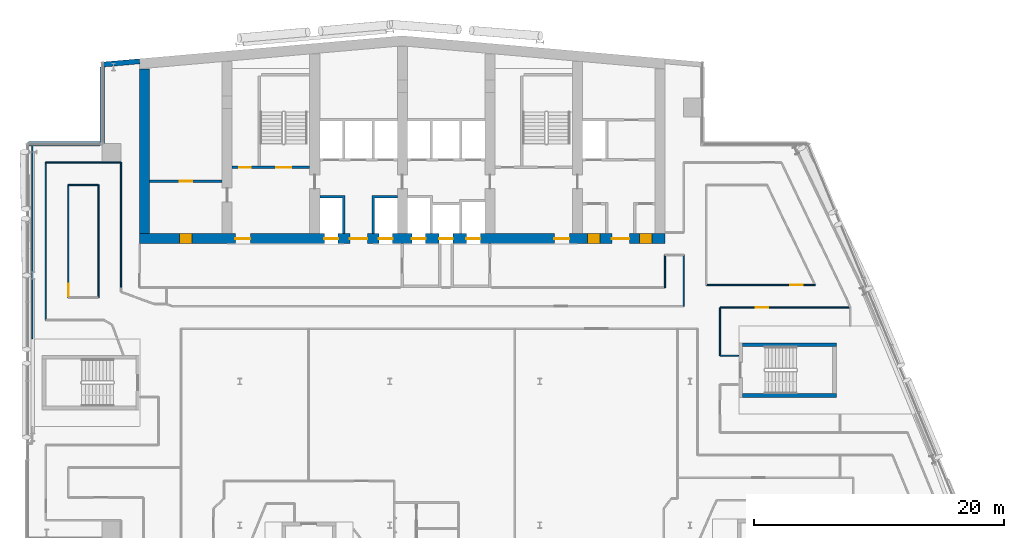
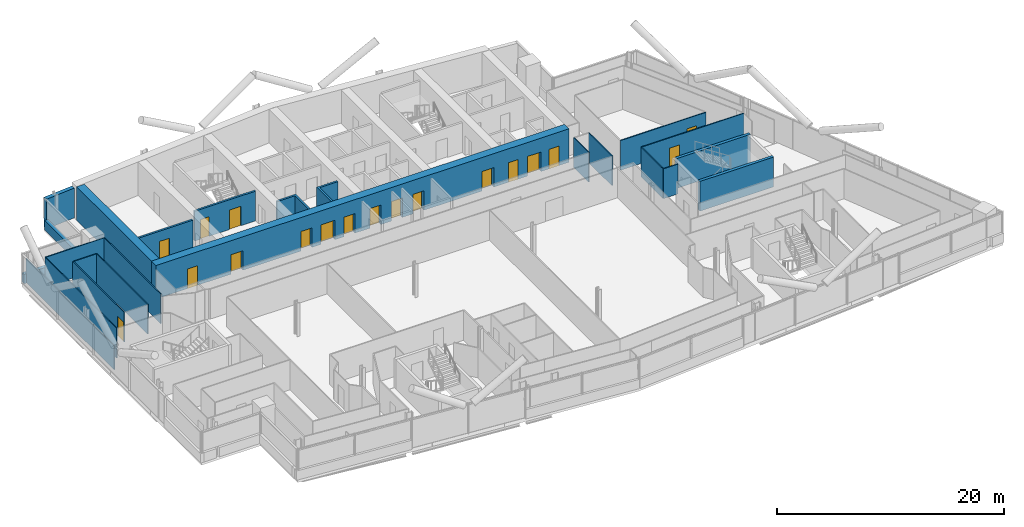
# One storey, part 17 of 28: 24 walls, 18 doors, 18 openings.
"""IFC4 building model written with IfcOpenShell, lengths in metres."""

from ifc_helpers import new_model, si_unit, direction, frame, frame_2d, origin, place, context, subcontext, project, spatial, polyline, rectangle, outline, extrude, material, layer, layer_set, type_object, element, fill, save


model = new_model("IFC4")

# Units and contexts
model_context = context("Model", 3, precision=1e-05, world=origin(), true_north=direction((0.0, 1.0)))
body_context = subcontext(model_context, "Body", "Model", "MODEL_VIEW")
ifc_project = project(units=[si_unit("LENGTHUNIT", "METRE"), si_unit("AREAUNIT", "SQUARE_METRE"), si_unit("VOLUMEUNIT", "CUBIC_METRE"), si_unit("PLANEANGLEUNIT", "RADIAN"), si_unit("MASSUNIT", "GRAM", prefix="KILO")], contexts=[model_context])

# Site, building, storey
site_placement = place(None, origin())
site = spatial("IfcSite", under=ifc_project, at=site_placement, CompositionType="ELEMENT")
building_placement = place(site_placement, origin())
building = spatial("IfcBuilding", under=site, at=building_placement, Name="Wharfspan Tower", CompositionType="ELEMENT")
storey_placement = place(building_placement, frame((0.0, 0.0, 187.899902)))
storey = spatial("IfcBuildingStorey", under=building, at=storey_placement, Name="L46", CompositionType="ELEMENT", Elevation=187.899902)

# Walls
ifc_material_1 = material(Name="Gypsum board on steel studs", Category="steel")
ifc_layer_1 = layer(ifc_material_1, 0.100098)
ifc_layer_set_1 = layer_set([ifc_layer_1], Name="Gypsum board on steel studs")
wall_type_1 = type_object("IfcWallType", Name="Compartment wall 100 EI 60", PredefinedType="PARTITIONING", material=ifc_layer_set_1)
wall_1_placement = place(storey_placement, frame((8.5, 27.899902, 0.0), z_axis=(0.0, 0.0, 1.0), x_axis=(0.0, 1.0, 0.0)))
element("IfcWall", 1, at=wall_1_placement, inside=storey, type_object=wall_type_1, Name="Partition L46.w007", PredefinedType="PARTITIONING", context=body_context, shape_type="SweptSolid", body=[
    extrude(rectangle(XDim=12.600098, YDim=0.100098, at=frame_2d((6.300049, 0.0))), origin(), (0.0, 0.0, 1.0), 3.200195),
])
wall_2_placement = place(storey_placement, frame((8.5, 40.5, 0.0), z_axis=(0.0, 0.0, 1.0), x_axis=(1.0, 0.0, 0.0)))
element("IfcWall", 2, at=wall_2_placement, inside=storey, type_object=wall_type_1, Name="Partition L46.w009", PredefinedType="PARTITIONING", context=body_context, shape_type="SweptSolid", body=[
    extrude(rectangle(XDim=6.0, YDim=0.100098, at=frame_2d((3.0, 0.0))), origin(), (0.0, 0.0, 1.0), 3.200195),
])

# Wall, opening, door
wall_3_placement = place(storey_placement, frame((10.300049, 29.699951, 0.0), z_axis=(0.0, 0.0, 1.0), x_axis=(0.0, 1.0, 0.0)))
wall_3 = element("IfcWall", 3, at=wall_3_placement, inside=storey, type_object=wall_type_1, Name="Partition L46.w013", PredefinedType="PARTITIONING", context=body_context, shape_type="SweptSolid", body=[
    extrude(rectangle(XDim=9.0, YDim=0.100098, at=frame_2d((4.5, 0.0))), origin(), (0.0, 0.0, 1.0), 3.200195),
])
opening_1_placement = place(wall_3_placement, frame((0.100098, 0.0, 0.0)))
opening_1 = element("IfcOpeningElement", 4, at=opening_1_placement, cuts=wall_3, Name="Opening C5-21", PredefinedType="OPENING", context=body_context, shape_type="SweptSolid", body=[
    extrude(rectangle(XDim=1.0, YDim=2.100098, at=frame_2d((0.5, 1.050049))), frame((0.0, 0.060059, 0.0), z_axis=(0.0, -1.0, 0.0), x_axis=(1.0, 0.0, 0.0)), (0.0, 0.0, 1.0), 0.120117),
])
ifc_material_2 = material(Name="Fire-rated timber door leaf in steel frame", Category="steel")
door_type_1 = type_object("IfcDoorType", Name="Door 1000 FD30S Left", OperationType="SINGLE_SWING_LEFT", PredefinedType="DOOR", material=ifc_material_2)
door_1_placement = place(opening_1_placement, origin())
door_1 = element("IfcDoor", 5, at=door_1_placement, inside=storey, type_object=door_type_1, Name="Door C5-21", OperationType="SINGLE_SWING_LEFT", OverallHeight=2.100098, OverallWidth=1.0, PredefinedType="DOOR", context=body_context, shape_type="SweptSolid", body=[
    extrude(rectangle(XDim=1.0, YDim=2.100098, at=frame_2d((0.5, 1.050049))), frame((0.0, 0.024902, 0.0), z_axis=(0.0, -1.0, 0.0), x_axis=(1.0, 0.0, 0.0)), (0.0, 0.0, 1.0), 0.050049),
])
fill(opening_1, door_1)

# Walls
wall_4_placement = place(storey_placement, frame((10.300049, 38.699951, 0.0), z_axis=(0.0, 0.0, 1.0), x_axis=(1.0, 0.0, 0.0)))
element("IfcWall", 6, at=wall_4_placement, inside=storey, type_object=wall_type_1, Name="Partition L46.w015", PredefinedType="PARTITIONING", context=body_context, shape_type="SweptSolid", body=[
    extrude(rectangle(XDim=2.399902, YDim=0.100098, at=frame_2d((1.199951, 0.0))), origin(), (0.0, 0.0, 1.0), 3.200195),
])
wall_5_placement = place(storey_placement, frame((12.699951, 29.699951, 0.0), z_axis=(0.0, 0.0, 1.0), x_axis=(0.0, 1.0, 0.0)))
element("IfcWall", 7, at=wall_5_placement, inside=storey, type_object=wall_type_1, Name="Partition L46.w016", PredefinedType="PARTITIONING", context=body_context, shape_type="SweptSolid", body=[
    extrude(rectangle(XDim=9.0, YDim=0.100098, at=frame_2d((4.5, 0.0))), origin(), (0.0, 0.0, 1.0), 3.200195),
])
wall_6_placement = place(storey_placement, frame((14.5, 30.5, 0.0), z_axis=(0.0, 0.0, 1.0), x_axis=(0.0, 1.0, 0.0)))
element("IfcWall", 8, at=wall_6_placement, inside=storey, type_object=wall_type_1, Name="Partition L46.w019", PredefinedType="PARTITIONING", context=body_context, shape_type="SweptSolid", body=[
    extrude(rectangle(XDim=10.0, YDim=0.100098, at=frame_2d((5.0, 0.0))), origin(), (0.0, 0.0, 1.0), 3.200195),
])
wall_7_placement = place(storey_placement, frame((58.0, 30.5, 0.0), z_axis=(0.0, 0.0, 1.0), x_axis=(0.0, 1.0, 0.0)))
element("IfcWall", 9, at=wall_7_placement, inside=storey, type_object=wall_type_1, Name="Partition L46.w076", PredefinedType="PARTITIONING", context=body_context, shape_type="SweptSolid", body=[
    extrude(rectangle(XDim=2.600098, YDim=0.100098, at=frame_2d((1.300049, 0.0))), origin(), (0.0, 0.0, 1.0), 3.200195),
])
wall_8_placement = place(storey_placement, frame((59.5, 29.0, 0.0), z_axis=(0.0, 0.0, 1.0), x_axis=(0.0, 1.0, 0.0)))
element("IfcWall", 10, at=wall_8_placement, inside=storey, type_object=wall_type_1, Name="Partition L46.w086", PredefinedType="PARTITIONING", context=body_context, shape_type="SweptSolid", body=[
    extrude(rectangle(XDim=4.100098, YDim=0.100098, at=frame_2d((2.050049, 0.0))), origin(), (0.0, 0.0, 1.0), 3.200195),
])

# Wall, opening, door
wall_9_placement = place(storey_placement, frame((61.300049, 30.699951, 0.0), z_axis=(0.0, 0.0, 1.0), x_axis=(1.0, 0.0, 0.0)))
wall_9 = element("IfcWall", 11, at=wall_9_placement, inside=storey, type_object=wall_type_1, Name="Partition L46.w094", PredefinedType="PARTITIONING", context=body_context, shape_type="SweptSolid", body=[
    extrude(rectangle(XDim=8.699951, YDim=0.100098, at=frame_2d((4.350098, 0.0))), origin(), (0.0, 0.0, 1.0), 3.200195),
])
opening_2_placement = place(wall_9_placement, frame((6.736816, 0.0, 0.0)))
opening_2 = element("IfcOpeningElement", 12, at=opening_2_placement, cuts=wall_9, Name="Opening C5-22", PredefinedType="OPENING", context=body_context, shape_type="SweptSolid", body=[
    extrude(rectangle(XDim=1.0, YDim=2.100098, at=frame_2d((0.5, 1.050049))), frame((0.0, 0.060059, 0.0), z_axis=(0.0, -1.0, 0.0), x_axis=(1.0, 0.0, 0.0)), (0.0, 0.0, 1.0), 0.120117),
])
door_type_2 = type_object("IfcDoorType", Name="Door 1000 FD30S Right", OperationType="SINGLE_SWING_RIGHT", PredefinedType="DOOR", material=ifc_material_2)
door_2_placement = place(opening_2_placement, origin())
door_2 = element("IfcDoor", 13, at=door_2_placement, inside=storey, type_object=door_type_2, Name="Door C5-22", OperationType="SINGLE_SWING_RIGHT", OverallHeight=2.100098, OverallWidth=1.0, PredefinedType="DOOR", context=body_context, shape_type="SweptSolid", body=[
    extrude(rectangle(XDim=1.0, YDim=2.100098, at=frame_2d((0.5, 1.050049))), frame((0.0, 0.024902, 0.0), z_axis=(0.0, -1.0, 0.0), x_axis=(1.0, 0.0, 0.0)), (0.0, 0.0, 1.0), 0.050049),
])
fill(opening_2, door_2)

# Walls
wall_10_placement = place(storey_placement, frame((62.405029, 25.050049, 0.0), z_axis=(0.0, 0.0, 1.0), x_axis=(0.0, 1.0, 0.0)))
element("IfcWall", 14, at=wall_10_placement, inside=storey, type_object=wall_type_1, Name="Partition L46.w101", PredefinedType="PARTITIONING", context=body_context, shape_type="SweptSolid", body=[
    extrude(rectangle(XDim=3.849854, YDim=0.100098, at=frame_2d((1.924805, 0.0))), origin(), (0.0, 0.0, 1.0), 3.200195),
])
wall_11_placement = place(storey_placement, frame((62.405029, 25.050049, 0.0), z_axis=(0.0, 0.0, 1.0), x_axis=(1.0, 0.0, 0.0)))
element("IfcWall", 15, at=wall_11_placement, inside=storey, type_object=wall_type_1, Name="Partition L46.w102", PredefinedType="PARTITIONING", context=body_context, shape_type="SweptSolid", body=[
    extrude(rectangle(XDim=1.479492, YDim=0.100098, at=frame_2d((0.739746, 0.0))), origin(), (0.0, 0.0, 1.0), 3.200195),
])

# Wall, opening, door
wall_12_placement = place(storey_placement, frame((62.405029, 28.899902, 0.0), z_axis=(0.0, 0.0, 1.0), x_axis=(1.0, 0.0, 0.0)))
wall_12 = element("IfcWall", 16, at=wall_12_placement, inside=storey, type_object=wall_type_1, Name="Partition L46.w103", PredefinedType="PARTITIONING", context=body_context, shape_type="SweptSolid", body=[
    extrude(rectangle(XDim=10.405029, YDim=0.100098, at=frame_2d((5.202637, 0.0))), origin(), (0.0, 0.0, 1.0), 3.200195),
])
opening_3_placement = place(wall_12_placement, frame((2.850098, 0.0, 0.0)))
opening_3 = element("IfcOpeningElement", 17, at=opening_3_placement, cuts=wall_12, Name="Opening C5-19", PredefinedType="OPENING", context=body_context, shape_type="SweptSolid", body=[
    extrude(rectangle(XDim=1.0, YDim=2.100098, at=frame_2d((0.5, 1.050049))), frame((0.0, 0.060059, 0.0), z_axis=(0.0, -1.0, 0.0), x_axis=(1.0, 0.0, 0.0)), (0.0, 0.0, 1.0), 0.120117),
])
door_3_placement = place(opening_3_placement, origin())
door_3 = element("IfcDoor", 18, at=door_3_placement, inside=storey, type_object=door_type_1, Name="Door C5-19", OperationType="SINGLE_SWING_LEFT", OverallHeight=2.100098, OverallWidth=1.0, PredefinedType="DOOR", context=body_context, shape_type="SweptSolid", body=[
    extrude(rectangle(XDim=1.0, YDim=2.100098, at=frame_2d((0.5, 1.050049))), frame((0.0, 0.024902, 0.0), z_axis=(0.0, -1.0, 0.0), x_axis=(1.0, 0.0, 0.0)), (0.0, 0.0, 1.0), 0.050049),
])
fill(opening_3, door_3)

ifc_material_3 = material(Name="Calcium silicate masonry", Category="masonry")
ifc_layer_2 = layer(ifc_material_3, 0.199951)
ifc_layer_set_2 = layer_set([ifc_layer_2], Name="Calcium silicate masonry")
wall_type_2 = type_object("IfcWallType", Name="Core room wall 200", PredefinedType="PARTITIONING", material=ifc_layer_set_2)
wall_13_placement = place(storey_placement, frame((16.800049, 39.0, 0.0), z_axis=(0.0, 0.0, 1.0), x_axis=(1.0, 0.0, 0.0)))
wall_13 = element("IfcWall", 19, at=wall_13_placement, inside=storey, type_object=wall_type_2, Name="sw:L46:RM1", PredefinedType="PARTITIONING", context=body_context, shape_type="SweptSolid", body=[
    extrude(rectangle(XDim=5.800049, YDim=0.199951, at=frame_2d((2.899902, 0.0))), origin(), (0.0, 0.0, 1.0), 3.200195),
])
opening_4_placement = place(wall_13_placement, frame((2.399902, 0.0, 0.0)))
opening_4 = element("IfcOpeningElement", 20, at=opening_4_placement, cuts=wall_13, Name="Opening CD46.12", PredefinedType="OPENING", context=body_context, shape_type="SweptSolid", body=[
    extrude(rectangle(XDim=1.0, YDim=2.100098, at=frame_2d((0.5, 1.050049))), frame((0.0, 0.109863, 0.0), z_axis=(0.0, -1.0, 0.0), x_axis=(1.0, 0.0, 0.0)), (0.0, 0.0, 1.0), 0.219971),
])
ifc_material_4 = material(Name="Steel door leaf", Category="steel")
door_type_3 = type_object("IfcDoorType", Name="Core room door 1000x2100", OperationType="SINGLE_SWING_LEFT", PredefinedType="DOOR", material=ifc_material_4)
door_4_placement = place(opening_4_placement, origin())
door_4 = element("IfcDoor", 21, at=door_4_placement, inside=storey, type_object=door_type_3, Name="d:L46:1:rr", OperationType="SINGLE_SWING_RIGHT", OverallHeight=2.100098, OverallWidth=1.0, PredefinedType="DOOR", context=body_context, shape_type="SweptSolid", body=[
    extrude(rectangle(XDim=1.0, YDim=2.100098, at=frame_2d((0.5, 1.050049))), frame((0.0, 0.024902, 0.0), z_axis=(0.0, -1.0, 0.0), x_axis=(1.0, 0.0, 0.0)), (0.0, 0.0, 1.0), 0.050049),
])
fill(opening_4, door_4)

# Wall, openings, doors
ifc_material_5 = material(Name="Concrete C60/75", Category="concrete")
ifc_layer_3 = layer(ifc_material_5, 0.800049)
ifc_layer_set_3 = layer_set([ifc_layer_3], Name="Concrete C60/75")
wall_type_3 = type_object("IfcWallType", Name="Core wall 800 C60/75", PredefinedType="SHEAR", material=ifc_layer_set_3)
wall_14_placement = place(storey_placement, frame((16.0, 34.399902, 0.0), z_axis=(0.0, 0.0, 1.0), x_axis=(1.0, 0.0, 0.0)))
wall_14 = element("IfcWall", 22, at=wall_14_placement, inside=storey, type_object=wall_type_3, Name="Core front wall L46", PredefinedType="SHEAR", context=body_context, shape_type="SweptSolid", body=[
    extrude(rectangle(XDim=42.0, YDim=0.800049, at=frame_2d((21.0, 0.0))), origin(), (0.0, 0.0, 1.0), 3.600098),
])
opening_5_placement = place(wall_14_placement, frame((3.199951, 0.0, 0.0)))
opening_5 = element("IfcOpeningElement", 23, at=opening_5_placement, cuts=wall_14, Name="Opening CD46.11", PredefinedType="OPENING", context=body_context, shape_type="SweptSolid", body=[
    extrude(rectangle(XDim=1.0, YDim=2.100098, at=frame_2d((0.5, 1.050049))), frame((0.0, 0.409912, 0.0), z_axis=(0.0, -1.0, 0.0), x_axis=(1.0, 0.0, 0.0)), (0.0, 0.0, 1.0), 0.820068),
])
opening_6_placement = place(wall_14_placement, frame((7.649902, 0.0, 0.0)))
opening_6 = element("IfcOpeningElement", 24, at=opening_6_placement, cuts=wall_14, Name="Opening SV2.L46", PredefinedType="OPENING", context=body_context, shape_type="SweptSolid", body=[
    extrude(rectangle(XDim=1.199951, YDim=2.100098, at=frame_2d((0.600098, 1.050049))), frame((0.0, 0.409912, 0.0), z_axis=(0.0, -1.0, 0.0), x_axis=(1.0, 0.0, 0.0)), (0.0, 0.0, 1.0), 0.820068),
])
opening_7_placement = place(wall_14_placement, frame((14.766602, 0.0, 0.0)))
opening_7 = element("IfcOpeningElement", 25, at=opening_7_placement, cuts=wall_14, Name="Opening LD.SL1.L46", PredefinedType="OPENING", context=body_context, shape_type="SweptSolid", body=[
    extrude(rectangle(XDim=1.100098, YDim=2.100098, at=frame_2d((0.550049, 1.050049))), frame((0.0, 0.409912, 0.0), z_axis=(0.0, -1.0, 0.0), x_axis=(1.0, 0.0, 0.0)), (0.0, 0.0, 1.0), 0.820068),
])
opening_8_placement = place(wall_14_placement, frame((19.133301, 0.0, 0.0)))
opening_8 = element("IfcOpeningElement", 26, at=opening_8_placement, cuts=wall_14, Name="Opening LD.SL2.L46", PredefinedType="OPENING", context=body_context, shape_type="SweptSolid", body=[
    extrude(rectangle(XDim=1.100098, YDim=2.100098, at=frame_2d((0.550049, 1.050049))), frame((0.0, 0.409912, 0.0), z_axis=(0.0, -1.0, 0.0), x_axis=(1.0, 0.0, 0.0)), (0.0, 0.0, 1.0), 0.820068),
])
opening_9_placement = place(wall_14_placement, frame((16.800049, 0.0, 0.0)))
opening_9 = element("IfcOpeningElement", 27, at=opening_9_placement, cuts=wall_14, Name="Opening HD46.3", PredefinedType="OPENING", context=body_context, shape_type="SweptSolid", body=[
    extrude(rectangle(XDim=1.399902, YDim=2.100098, at=frame_2d((0.699951, 1.050049))), frame((0.0, 0.409912, 0.0), z_axis=(0.0, -1.0, 0.0), x_axis=(1.0, 0.0, 0.0)), (0.0, 0.0, 1.0), 0.820068),
])
opening_10_placement = place(wall_14_placement, frame((21.766602, 0.0, 0.0)))
opening_10 = element("IfcOpeningElement", 28, at=opening_10_placement, cuts=wall_14, Name="Opening LD.FF1.L46", PredefinedType="OPENING", context=body_context, shape_type="SweptSolid", body=[
    extrude(rectangle(XDim=1.100098, YDim=2.100098, at=frame_2d((0.550049, 1.050049))), frame((0.0, 0.409912, 0.0), z_axis=(0.0, -1.0, 0.0), x_axis=(1.0, 0.0, 0.0)), (0.0, 0.0, 1.0), 0.820068),
])
opening_11_placement = place(wall_14_placement, frame((23.949951, 0.0, 0.0)))
opening_11 = element("IfcOpeningElement", 29, at=opening_11_placement, cuts=wall_14, Name="Opening LD.LB7.L46", PredefinedType="OPENING", context=body_context, shape_type="SweptSolid", body=[
    extrude(rectangle(XDim=1.100098, YDim=2.100098, at=frame_2d((0.550049, 1.050049))), frame((0.0, 0.409912, 0.0), z_axis=(0.0, -1.0, 0.0), x_axis=(1.0, 0.0, 0.0)), (0.0, 0.0, 1.0), 0.820068),
])
opening_12_placement = place(wall_14_placement, frame((26.133301, 0.0, 0.0)))
opening_12 = element("IfcOpeningElement", 30, at=opening_12_placement, cuts=wall_14, Name="Opening LD.FF2.L46", PredefinedType="OPENING", context=body_context, shape_type="SweptSolid", body=[
    extrude(rectangle(XDim=1.100098, YDim=2.100098, at=frame_2d((0.550049, 1.050049))), frame((0.0, 0.409912, 0.0), z_axis=(0.0, -1.0, 0.0), x_axis=(1.0, 0.0, 0.0)), (0.0, 0.0, 1.0), 0.820068),
])
opening_13_placement = place(wall_14_placement, frame((33.149902, 0.0, 0.0)))
opening_13 = element("IfcOpeningElement", 31, at=opening_13_placement, cuts=wall_14, Name="Opening SV5.L46", PredefinedType="OPENING", context=body_context, shape_type="SweptSolid", body=[
    extrude(rectangle(XDim=1.199951, YDim=2.100098, at=frame_2d((0.600098, 1.050049))), frame((0.0, 0.409912, 0.0), z_axis=(0.0, -1.0, 0.0), x_axis=(1.0, 0.0, 0.0)), (0.0, 0.0, 1.0), 0.820068),
])
opening_14_placement = place(wall_14_placement, frame((35.81665, 0.0, 0.0)))
opening_14 = element("IfcOpeningElement", 32, at=opening_14_placement, cuts=wall_14, Name="Opening CD46.6F1", PredefinedType="OPENING", context=body_context, shape_type="SweptSolid", body=[
    extrude(rectangle(XDim=1.0, YDim=2.100098, at=frame_2d((0.5, 1.050049))), frame((0.0, 0.409912, 0.0), z_axis=(0.0, -1.0, 0.0), x_axis=(1.0, 0.0, 0.0)), (0.0, 0.0, 1.0), 0.820068),
])
opening_15_placement = place(wall_14_placement, frame((39.949951, 0.0, 0.0)))
opening_15 = element("IfcOpeningElement", 33, at=opening_15_placement, cuts=wall_14, Name="Opening CD46.6F3", PredefinedType="OPENING", context=body_context, shape_type="SweptSolid", body=[
    extrude(rectangle(XDim=1.0, YDim=2.100098, at=frame_2d((0.5, 1.050049))), frame((0.0, 0.409912, 0.0), z_axis=(0.0, -1.0, 0.0), x_axis=(1.0, 0.0, 0.0)), (0.0, 0.0, 1.0), 0.820068),
])
opening_16_placement = place(wall_14_placement, frame((37.766602, 0.0, 0.0)))
opening_16 = element("IfcOpeningElement", 34, at=opening_16_placement, cuts=wall_14, Name="Opening HD46.6", PredefinedType="OPENING", context=body_context, shape_type="SweptSolid", body=[
    extrude(rectangle(XDim=1.399902, YDim=2.100098, at=frame_2d((0.699951, 1.050049))), frame((0.0, 0.409912, 0.0), z_axis=(0.0, -1.0, 0.0), x_axis=(1.0, 0.0, 0.0)), (0.0, 0.0, 1.0), 0.820068),
])
door_5_placement = place(opening_5_placement, origin())
door_5 = element("IfcDoor", 35, at=door_5_placement, inside=storey, type_object=door_type_3, Name="d:L46:1:rf", OperationType="SINGLE_SWING_LEFT", OverallHeight=2.100098, OverallWidth=1.0, PredefinedType="DOOR", context=body_context, shape_type="SweptSolid", body=[
    extrude(rectangle(XDim=1.0, YDim=2.100098, at=frame_2d((0.5, 1.050049))), frame((0.0, 0.399902, 0.0), z_axis=(0.0, -1.0, 0.0), x_axis=(1.0, 0.0, 0.0)), (0.0, 0.0, 1.0), 0.799561),
])
fill(opening_5, door_5)
door_6_placement = place(opening_14_placement, origin())
door_6 = element("IfcDoor", 36, at=door_6_placement, inside=storey, type_object=door_type_3, Name="d:L46:6:fd6.1", OperationType="SINGLE_SWING_LEFT", OverallHeight=2.100098, OverallWidth=1.0, PredefinedType="DOOR", context=body_context, shape_type="SweptSolid", body=[
    extrude(rectangle(XDim=1.0, YDim=2.100098, at=frame_2d((0.5, 1.050049))), frame((0.0, 0.399902, 0.0), z_axis=(0.0, -1.0, 0.0), x_axis=(1.0, 0.0, 0.0)), (0.0, 0.0, 1.0), 0.799561),
])
fill(opening_14, door_6)
door_7_placement = place(opening_15_placement, origin())
door_7 = element("IfcDoor", 37, at=door_7_placement, inside=storey, type_object=door_type_3, Name="d:L46:6:fd6.3", OperationType="SINGLE_SWING_LEFT", OverallHeight=2.100098, OverallWidth=1.0, PredefinedType="DOOR", context=body_context, shape_type="SweptSolid", body=[
    extrude(rectangle(XDim=1.0, YDim=2.100098, at=frame_2d((0.5, 1.050049))), frame((0.0, 0.399902, 0.0), z_axis=(0.0, -1.0, 0.0), x_axis=(1.0, 0.0, 0.0)), (0.0, 0.0, 1.0), 0.799561),
])
fill(opening_15, door_7)
door_type_4 = type_object("IfcDoorType", Name="Hall entry door 1400x2100", OperationType="DOUBLE_DOOR_SINGLE_SWING", PredefinedType="DOOR", material=ifc_material_4)
door_8_placement = place(opening_9_placement, origin())
door_8 = element("IfcDoor", 38, at=door_8_placement, inside=storey, type_object=door_type_4, Name="d:L46:3:hd3", OperationType="DOUBLE_DOOR_SINGLE_SWING", OverallHeight=2.100098, OverallWidth=1.399902, PredefinedType="DOOR", context=body_context, shape_type="SweptSolid", body=[
    extrude(rectangle(XDim=1.399902, YDim=2.100098, at=frame_2d((0.699951, 1.050049))), frame((0.0, 0.024902, 0.0), z_axis=(0.0, -1.0, 0.0), x_axis=(1.0, 0.0, 0.0)), (0.0, 0.0, 1.0), 0.050049),
])
fill(opening_9, door_8)
door_9_placement = place(opening_16_placement, origin())
door_9 = element("IfcDoor", 39, at=door_9_placement, inside=storey, type_object=door_type_4, Name="d:L46:6:hd6", OperationType="DOUBLE_DOOR_SINGLE_SWING", OverallHeight=2.100098, OverallWidth=1.399902, PredefinedType="DOOR", context=body_context, shape_type="SweptSolid", body=[
    extrude(rectangle(XDim=1.399902, YDim=2.100098, at=frame_2d((0.699951, 1.050049))), frame((0.0, 0.024902, 0.0), z_axis=(0.0, -1.0, 0.0), x_axis=(1.0, 0.0, 0.0)), (0.0, 0.0, 1.0), 0.050049),
])
fill(opening_16, door_9)
ifc_material_6 = material(Name="Stainless steel", Category="steel")
door_type_5 = type_object("IfcDoorType", Name="Lift landing door 1100x2100", OperationType="DOUBLE_DOOR_SLIDING", PredefinedType="DOOR", material=ifc_material_6)
door_10_placement = place(opening_7_placement, origin())
door_10 = element("IfcDoor", 40, at=door_10_placement, inside=storey, type_object=door_type_5, Name="Landing door SL1 L46", OperationType="DOUBLE_DOOR_SLIDING", OverallHeight=2.100098, OverallWidth=1.100098, PredefinedType="DOOR", context=body_context, shape_type="SweptSolid", body=[
    extrude(rectangle(XDim=1.100098, YDim=2.100098, at=frame_2d((0.550049, 1.050049))), frame((0.0, 0.024902, 0.0), z_axis=(0.0, -1.0, 0.0), x_axis=(1.0, 0.0, 0.0)), (0.0, 0.0, 1.0), 0.050049),
])
fill(opening_7, door_10)
door_11_placement = place(opening_8_placement, origin())
door_11 = element("IfcDoor", 41, at=door_11_placement, inside=storey, type_object=door_type_5, Name="Landing door SL2 L46", OperationType="DOUBLE_DOOR_SLIDING", OverallHeight=2.100098, OverallWidth=1.100098, PredefinedType="DOOR", context=body_context, shape_type="SweptSolid", body=[
    extrude(rectangle(XDim=1.100098, YDim=2.100098, at=frame_2d((0.550049, 1.050049))), frame((0.0, 0.024902, 0.0), z_axis=(0.0, -1.0, 0.0), x_axis=(1.0, 0.0, 0.0)), (0.0, 0.0, 1.0), 0.050049),
])
fill(opening_8, door_11)
door_12_placement = place(opening_10_placement, origin())
door_12 = element("IfcDoor", 42, at=door_12_placement, inside=storey, type_object=door_type_5, Name="Landing door FF1 L46", OperationType="DOUBLE_DOOR_SLIDING", OverallHeight=2.100098, OverallWidth=1.100098, PredefinedType="DOOR", context=body_context, shape_type="SweptSolid", body=[
    extrude(rectangle(XDim=1.100098, YDim=2.100098, at=frame_2d((0.550049, 1.050049))), frame((0.0, 0.024902, 0.0), z_axis=(0.0, -1.0, 0.0), x_axis=(1.0, 0.0, 0.0)), (0.0, 0.0, 1.0), 0.050049),
])
fill(opening_10, door_12)
door_13_placement = place(opening_11_placement, origin())
door_13 = element("IfcDoor", 43, at=door_13_placement, inside=storey, type_object=door_type_5, Name="Landing door LB7 L46", OperationType="DOUBLE_DOOR_SLIDING", OverallHeight=2.100098, OverallWidth=1.100098, PredefinedType="DOOR", context=body_context, shape_type="SweptSolid", body=[
    extrude(rectangle(XDim=1.100098, YDim=2.100098, at=frame_2d((0.550049, 1.050049))), frame((0.0, 0.024902, 0.0), z_axis=(0.0, -1.0, 0.0), x_axis=(1.0, 0.0, 0.0)), (0.0, 0.0, 1.0), 0.050049),
])
fill(opening_11, door_13)
door_14_placement = place(opening_12_placement, origin())
door_14 = element("IfcDoor", 44, at=door_14_placement, inside=storey, type_object=door_type_5, Name="Landing door FF2 L46", OperationType="DOUBLE_DOOR_SLIDING", OverallHeight=2.100098, OverallWidth=1.100098, PredefinedType="DOOR", context=body_context, shape_type="SweptSolid", body=[
    extrude(rectangle(XDim=1.100098, YDim=2.100098, at=frame_2d((0.550049, 1.050049))), frame((0.0, 0.024902, 0.0), z_axis=(0.0, -1.0, 0.0), x_axis=(1.0, 0.0, 0.0)), (0.0, 0.0, 1.0), 0.050049),
])
fill(opening_12, door_14)
door_type_6 = type_object("IfcDoorType", Name="Stair door 1200x2100", OperationType="SINGLE_SWING_LEFT", PredefinedType="DOOR", material=ifc_material_4)
door_15_placement = place(opening_6_placement, origin())
door_15 = element("IfcDoor", 45, at=door_15_placement, inside=storey, type_object=door_type_6, Name="vd:L46:2", OperationType="SINGLE_SWING_LEFT", OverallHeight=2.100098, OverallWidth=1.199951, PredefinedType="DOOR", context=body_context, shape_type="SweptSolid", body=[
    extrude(rectangle(XDim=1.199951, YDim=2.100098, at=frame_2d((0.600098, 1.050049))), frame((0.0, 0.024902, 0.0), z_axis=(0.0, -1.0, 0.0), x_axis=(1.0, 0.0, 0.0)), (0.0, 0.0, 1.0), 0.050049),
])
fill(opening_6, door_15)
door_16_placement = place(opening_13_placement, origin())
door_16 = element("IfcDoor", 46, at=door_16_placement, inside=storey, type_object=door_type_6, Name="vd:L46:5", OperationType="SINGLE_SWING_LEFT", OverallHeight=2.100098, OverallWidth=1.199951, PredefinedType="DOOR", context=body_context, shape_type="SweptSolid", body=[
    extrude(rectangle(XDim=1.199951, YDim=2.100098, at=frame_2d((0.600098, 1.050049))), frame((0.0, 0.024902, 0.0), z_axis=(0.0, -1.0, 0.0), x_axis=(1.0, 0.0, 0.0)), (0.0, 0.0, 1.0), 0.050049),
])
fill(opening_13, door_16)

# Walls
wall_15_placement = place(storey_placement, frame((16.399902, 34.800049, 0.0), z_axis=(0.0, 0.0, 1.0), x_axis=(0.0, 1.0, 0.0)))
element("IfcWall", 47, at=wall_15_placement, inside=storey, type_object=wall_type_3, Name="Core cross wall EW0 L46", PredefinedType="SHEAR", context=body_context, shape_type="SweptSolid", body=[
    extrude(rectangle(XDim=13.184326, YDim=0.800049, at=frame_2d((6.592285, 0.0))), origin(), (0.0, 0.0, 1.0), 3.600098),
])
ifc_material_7 = material(Name="Concrete C30/37", Category="concrete")
ifc_layer_4 = layer(ifc_material_7, 0.199951)
ifc_layer_set_4 = layer_set([ifc_layer_4], Name="Concrete C30/37")
wall_type_4 = type_object("IfcWallType", Name="Lift shaft wall 200", PredefinedType="PARTITIONING", material=ifc_layer_set_4)
wall_16_placement = place(storey_placement, origin())
element("IfcWall", 48, at=wall_16_placement, inside=storey, type_object=wall_type_4, Name="sw:L46:FM3.0", PredefinedType="PARTITIONING", context=body_context, shape_type="SweptSolid", body=[
    extrude(outline(polyline([(32.233398, 37.649902), (30.399902, 37.649902), (30.399902, 37.850098), (32.233398, 37.850098), (32.43335, 37.850098), (32.43335, 34.800049), (32.233398, 34.800049), (32.233398, 37.649902)])), origin(), (0.0, 0.0, 1.0), 3.200195),
])
wall_17_placement = place(storey_placement, origin())
element("IfcWall", 49, at=wall_17_placement, inside=storey, type_object=wall_type_4, Name="sw:L46:FM3.1", PredefinedType="PARTITIONING", context=body_context, shape_type="SweptSolid", body=[
    extrude(outline(polyline([(34.56665, 37.850098), (34.766602, 37.850098), (36.600098, 37.850098), (36.600098, 37.649902), (34.766602, 37.649902), (34.766602, 34.800049), (34.56665, 34.800049), (34.56665, 37.850098)])), origin(), (0.0, 0.0, 1.0), 3.200195),
])
ifc_layer_5 = layer(ifc_material_1, 0.100098)
ifc_layer_set_5 = layer_set([ifc_layer_5], Name="Gypsum board on steel studs")
wall_type_5 = type_object("IfcWallType", Name="Partition 100", PredefinedType="PARTITIONING", material=ifc_layer_set_5)
wall_18_placement = place(storey_placement, frame((7.419922, 26.419922, 0.0), z_axis=(0.0, 0.0, 1.0), x_axis=(0.0, 1.0, 0.0)))
element("IfcWall", 50, at=wall_18_placement, inside=storey, type_object=wall_type_5, Name="Partition L46.w003", PredefinedType="PARTITIONING", context=body_context, shape_type="SweptSolid", body=[
    extrude(rectangle(XDim=15.560059, YDim=0.100098, at=frame_2d((7.780029, 0.0))), origin(), (0.0, 0.0, 1.0), 2.580078),
])
ifc_material_8 = material(Name="Concrete C40/50", Category="concrete")
ifc_layer_6 = layer(ifc_material_8, 0.350098)
ifc_layer_set_6 = layer_set([ifc_layer_6], Name="Concrete C40/50")
wall_type_6 = type_object("IfcWallType", Name="SPANDREL EXPOSED CONCRETE 350", PredefinedType="SOLIDWALL", material=ifc_layer_set_6)
wall_19_placement = place(storey_placement, frame((12.995117, 48.126465, 0.0), z_axis=(0.0, 0.0, 1.0), x_axis=(0.0, -1.0, 0.0)))
element("IfcWall", 51, at=wall_19_placement, inside=storey, type_object=wall_type_6, Name="Spandrel upstand L46 NRW-V", PredefinedType="SOLIDWALL", context=body_context, shape_type="SweptSolid", body=[
    extrude(rectangle(XDim=6.126465, YDim=0.350098, at=frame_2d((3.063232, 0.0))), origin(), (0.0, 0.0, 1.0), 1.0),
])
wall_20_placement = place(storey_placement, frame((12.820068, 42.004883, 0.0), z_axis=(0.0, 0.0, 1.0), x_axis=(-1.0, 0.0, 0.0)))
element("IfcWall", 52, at=wall_20_placement, inside=storey, type_object=wall_type_6, Name="Spandrel upstand L46 NRW-H", PredefinedType="SOLIDWALL", context=body_context, shape_type="SweptSolid", body=[
    extrude(rectangle(XDim=5.699951, YDim=0.350098, at=frame_2d((2.850098, 0.0))), origin(), (0.0, 0.0, 1.0), 1.0),
])
ifc_layer_7 = layer(ifc_material_8, 0.300049)
ifc_layer_set_7 = layer_set([ifc_layer_7], Name="Concrete C40/50")
wall_type_7 = type_object("IfcWallType", Name="Stair core wall 300", PredefinedType="SHEAR", material=ifc_layer_set_7)
for number, where, z_axis, x_axis, name in (
    (53, (64.20459, 21.875, 0.0), (0.0, 0.0, 1.0), (1.0, 0.0, 0.0), "ST6 stair enclosure wall L46"),
    (54, (64.20459, 25.925049, 0.0), (0.0, 0.0, 1.0), (1.0, 0.0, 0.0), "ST6 stair enclosure wall L46"),
):
    element("IfcWall", number, at=place(storey_placement, frame(where, z_axis=z_axis, x_axis=x_axis)), inside=storey, type_object=wall_type_7, Name=name, PredefinedType="SHEAR", context=body_context, shape_type="SweptSolid", body=[
        extrude(rectangle(XDim=7.5, YDim=0.300049, at=frame_2d((3.75, 0.0))), origin(), (0.0, 0.0, 1.0), 3.200195),
    ])

# Wall, openings, doors
ifc_layer_8 = layer(ifc_material_8, 0.199951)
ifc_layer_set_8 = layer_set([ifc_layer_8], Name="Concrete C40/50")
wall_type_8 = type_object("IfcWallType", Name="Stair shaft wall 200", PredefinedType="SHEAR", material=ifc_layer_set_8)
wall_21_placement = place(storey_placement, frame((23.399902, 40.100098, 0.0), z_axis=(0.0, 0.0, 1.0), x_axis=(1.0, 0.0, 0.0)))
wall_21 = element("IfcWall", 55, at=wall_21_placement, inside=storey, type_object=wall_type_8, Name="ST1 stair enclosure wall L46", PredefinedType="SHEAR", context=body_context, shape_type="SweptSolid", body=[
    extrude(rectangle(XDim=6.200195, YDim=0.199951, at=frame_2d((3.100098, 0.0))), origin(), (0.0, 0.0, 1.0), 3.200195),
])
opening_17_placement = place(wall_21_placement, frame((3.524902, 0.0, 0.0)))
opening_17 = element("IfcOpeningElement", 56, at=opening_17_placement, cuts=wall_21, Name="Opening SD2.L46", PredefinedType="OPENING", context=body_context, shape_type="SweptSolid", body=[
    extrude(rectangle(XDim=1.199951, YDim=2.100098, at=frame_2d((0.600098, 1.050049))), frame((0.0, 0.109863, 0.0), z_axis=(0.0, -1.0, 0.0), x_axis=(1.0, 0.0, 0.0)), (0.0, 0.0, 1.0), 0.219971),
])
opening_18_placement = place(wall_21_placement, frame((0.574951, 0.0, 0.0)))
opening_18 = element("IfcOpeningElement", 57, at=opening_18_placement, cuts=wall_21, Name="Opening CD46.2R", PredefinedType="OPENING", context=body_context, shape_type="SweptSolid", body=[
    extrude(rectangle(XDim=0.899902, YDim=2.100098, at=frame_2d((0.449951, 1.050049))), frame((0.0, 0.109863, 0.0), z_axis=(0.0, -1.0, 0.0), x_axis=(1.0, 0.0, 0.0)), (0.0, 0.0, 1.0), 0.219971),
])
door_17_placement = place(opening_18_placement, origin())
door_17 = element("IfcDoor", 58, at=door_17_placement, inside=storey, type_object=door_type_3, Name="rk:L46:2", OperationType="SINGLE_SWING_LEFT", OverallHeight=2.100098, OverallWidth=0.899902, PredefinedType="DOOR", context=body_context, shape_type="SweptSolid", body=[
    extrude(rectangle(XDim=0.899902, YDim=2.100098, at=frame_2d((0.449951, 1.050049))), frame((0.0, 0.024902, 0.0), z_axis=(0.0, -1.0, 0.0), x_axis=(1.0, 0.0, 0.0)), (0.0, 0.0, 1.0), 0.050049),
])
fill(opening_18, door_17)
door_18_placement = place(opening_17_placement, origin())
door_18 = element("IfcDoor", 59, at=door_18_placement, inside=storey, type_object=door_type_6, Name="sd:L46:2", OperationType="SINGLE_SWING_RIGHT", OverallHeight=2.100098, OverallWidth=1.199951, PredefinedType="DOOR", context=body_context, shape_type="SweptSolid", body=[
    extrude(rectangle(XDim=1.199951, YDim=2.100098, at=frame_2d((0.600098, 1.050049))), frame((0.0, 0.024902, 0.0), z_axis=(0.0, -1.0, 0.0), x_axis=(1.0, 0.0, 0.0)), (0.0, 0.0, 1.0), 0.050049),
])
fill(opening_17, door_18)

# Wall
ifc_layer_9 = layer(ifc_material_8, 0.399902)
ifc_layer_set_9 = layer_set([ifc_layer_9], Name="Concrete C40/50")
wall_type_9 = type_object("IfcWallType", Name="WALL EXPOSED CONCRETE 400", PredefinedType="SOLIDWALL", material=ifc_layer_set_9)
wall_22_placement = place(storey_placement, frame((16.0, 48.58667, 0.0), z_axis=(0.0, 0.0, 1.0), x_axis=(-0.996194, -0.087168, 0.0)))
element("IfcWall", 60, at=wall_22_placement, inside=storey, type_object=wall_type_9, Name="Rear wall N1", PredefinedType="SOLIDWALL", context=body_context, shape_type="SweptSolid", body=[
    extrude(rectangle(XDim=2.994141, YDim=0.399902, at=frame_2d((1.49707, 0.0))), origin(), (0.0, 0.0, 1.0), 3.200195),
])

save(model, "model.ifc")
